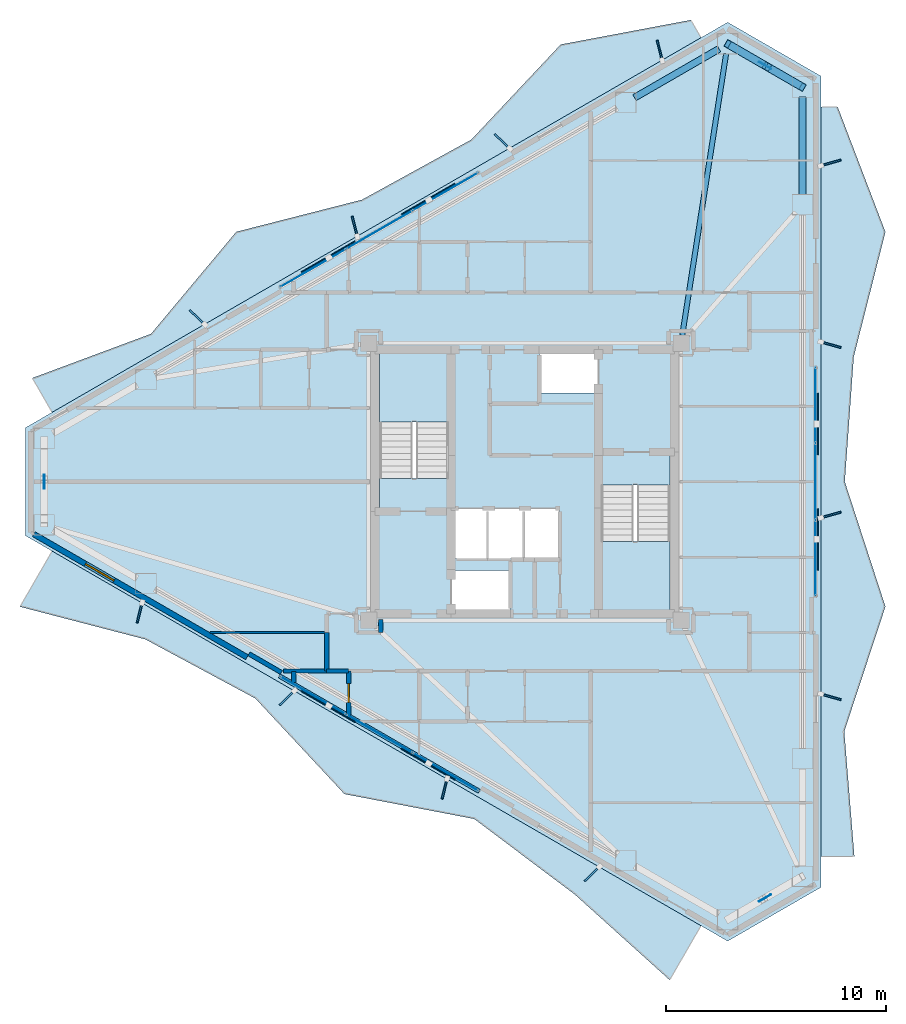
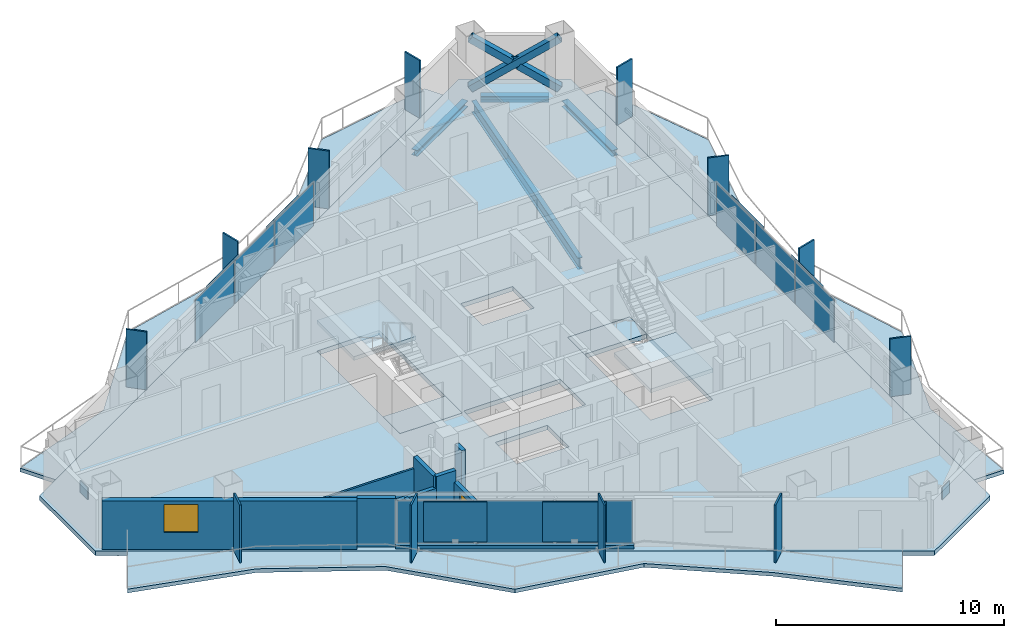
# One storey, part 11 of 18: 30 plates, 10 walls, 8 slabs, 4 beams, 3 members, 1 door, 1 window, 2 openings, 5 elements without a shape of their own.
"""IFC4 building model written with IfcOpenShell, lengths in metres."""

from ifc_helpers import new_model, si_unit, direction, frame, frame_2d, origin, origin_2d, place, context, subcontext, project, spatial, polyline, rectangle, hollow_rectangle, i_section, outline, extrude, material, layer, layer_set, material_profile, profile_set, type_object, element, fill, aggregate, save


model = new_model("IFC4")

# Units and contexts
model_context = context("Model", 3, precision=1e-05, world=origin(), true_north=direction((0.0, 1.0)))
body_context = subcontext(model_context, "Body", "Model", "MODEL_VIEW")
ifc_project = project(units=[si_unit("LENGTHUNIT", "METRE"), si_unit("AREAUNIT", "SQUARE_METRE"), si_unit("VOLUMEUNIT", "CUBIC_METRE"), si_unit("PLANEANGLEUNIT", "RADIAN"), si_unit("MASSUNIT", "GRAM", prefix="KILO")], contexts=[model_context])

# Site, building, storey
site_placement = place(None, origin())
site = spatial("IfcSite", under=ifc_project, at=site_placement, CompositionType="ELEMENT")
building_placement = place(site_placement, origin())
building = spatial("IfcBuilding", under=site, at=building_placement, Name="Mersakhor Tower and Convention Hall", CompositionType="ELEMENT")
storey_placement = place(building_placement, frame((0.0, 0.0, 157.5)))
storey = spatial("IfcBuildingStorey", under=building, at=storey_placement, Name="L44", CompositionType="ELEMENT", Elevation=157.5)

# Beams
ifc_material_1 = material(Name="Steel S355", Category="steel")
ifc_material_profile_1 = material_profile(ifc_material_1, i_section(OverallWidth=0.22900390625, OverallDepth=0.6123046875, WebThickness=0.011962890625, FlangeThickness=0.01953125, at=origin_2d()), Name="UB 610x229x125")
ifc_profile_set_1 = profile_set([ifc_material_profile_1], Name="Steel S355")
beam_type_1 = type_object("IfcBeamType", Name="BM-PR-610", PredefinedType="BEAM", material=ifc_profile_set_1)
beam_1_placement = place(storey_placement, frame((36.15478515625, 33.40087890625, -0.546142578125), z_axis=(0.154111159783, 0.988053515975, 0.0), x_axis=(-0.988053515975, 0.154111159783, 0.0)))
element("IfcBeam", 1, at=beam_1_placement, inside=storey, type_object=beam_type_1, Name="L44 Primary Floor Girder FG-2", PredefinedType="BEAM", context=body_context, shape_type="SweptSolid", body=[
    extrude(i_section(OverallWidth=0.22900390625, OverallDepth=0.6123046875, WebThickness=0.011962890625, FlangeThickness=0.01953125, at=origin_2d()), origin(), (0.0, 0.0, 1.0), 12.94921875),
])
ifc_material_2 = material(Name="Steel S355", Category="steel")
ifc_material_profile_2 = material_profile(ifc_material_2, i_section(OverallWidth=0.30908203125, OverallDepth=0.320556640625, WebThickness=0.013916015625, FlangeThickness=0.021728515625, at=origin_2d()), Name="UC 305x305x137")
ifc_profile_set_2 = profile_set([ifc_material_profile_2], Name="Steel S355")
beam_type_2 = type_object("IfcBeamType", Name="BM-SPD-UC305", PredefinedType="SPANDREL", material=ifc_profile_set_2)
beam_2_placement = place(storey_placement, frame((33.986572265625, 44.200439453125, -0.400146484375), z_axis=(0.866038875684, 0.49997666526, 0.0), x_axis=(-0.49997666526, 0.866038875684, 0.0)))
element("IfcBeam", 2, at=beam_2_placement, inside=storey, type_object=beam_type_2, Name="L44 Perimeter Spandrel Beam SPB-03", PredefinedType="SPANDREL", context=body_context, shape_type="SweptSolid", body=[
    extrude(i_section(OverallWidth=0.30908203125, OverallDepth=0.320556640625, WebThickness=0.013916015625, FlangeThickness=0.021728515625, at=origin_2d()), origin(), (0.0, 0.0, 1.0), 4.433837890625),
])
beam_3_placement = place(storey_placement, frame((38.614501953125, 46.417236328125, -0.400146484375), z_axis=(0.86604667077, -0.499963162692, 0.0), x_axis=(0.499963162692, 0.86604667077, 0.0)))
element("IfcBeam", 3, at=beam_3_placement, inside=storey, type_object=beam_type_2, Name="L44 Perimeter Spandrel Beam SPB-04", PredefinedType="SPANDREL", context=body_context, shape_type="SweptSolid", body=[
    extrude(i_section(OverallWidth=0.30908203125, OverallDepth=0.320556640625, WebThickness=0.013916015625, FlangeThickness=0.021728515625, at=origin_2d()), origin(), (0.0, 0.0, 1.0), 3.014404296875),
])
beam_4_placement = place(storey_placement, frame((41.619140625, 44.2275390625, -0.400146484375), z_axis=(0.0, -1.0, 0.0), x_axis=(1.0, 0.0, 0.0)))
element("IfcBeam", 4, at=beam_4_placement, inside=storey, type_object=beam_type_2, Name="L44 Perimeter Spandrel Beam SPB-05", PredefinedType="SPANDREL", context=body_context, shape_type="SweptSolid", body=[
    extrude(i_section(OverallWidth=0.30908203125, OverallDepth=0.320556640625, WebThickness=0.013916015625, FlangeThickness=0.021728515625, at=origin_2d()), origin(), (0.0, 0.0, 1.0), 4.433837890625),
])

# Members
ifc_material_3 = material(Name="Steel S460", Category="steel")
ifc_material_profile_3 = material_profile(ifc_material_3, hollow_rectangle(XDim=0.35009765625, YDim=0.35009765625, WallThickness=0.02001953125, at=origin_2d()), Name="SHS 350x350x20")
ifc_profile_set_3 = profile_set([ifc_material_profile_3], Name="Steel S460")
member_type = type_object("IfcMemberType", Name="MB-BRC-SHS350", PredefinedType="BRACE", material=ifc_profile_set_3)
member_placement = place(storey_placement, frame((38.220458984375, 46.644775390625, 0.14990234375), z_axis=(0.715164230213, -0.412885203522, 0.563973343817), x_axis=(0.499986324622, 0.866033299124, 0.0)))
element("IfcMember", 5, at=member_placement, inside=storey, type_object=member_type, Name="L44 Chamfer Braced Frame Diagonal CB-1A", PredefinedType="BRACE", context=body_context, shape_type="SweptSolid", body=[
    extrude(hollow_rectangle(XDim=0.35009765625, YDim=0.35009765625, WallThickness=0.02001953125, at=origin_2d()), origin(), (0.0, 0.0, 1.0), 4.752197265625),
])
for number, where, z_axis, x_axis, name in (
    (6, (41.619140625, 44.6826171875, 0.14990234375), (-0.715211025131, 0.412867238086, 0.563927152428), (-0.499945471869, -0.866056883327, 0.0), "L44 Chamfer Braced Frame Diagonal CB-1B Lower Half"),
    (7, (39.77978515625, 45.74462890625, 1.6005859375), (-0.715211025131, 0.412867238086, 0.563927152428), (-0.499945471869, -0.866056883327, 0.0), "L44 Chamfer Braced Frame Diagonal CB-1B Upper Half"),
):
    element("IfcMember", number, at=place(storey_placement, frame(where, z_axis=z_axis, x_axis=x_axis)), inside=storey, type_object=member_type, Name=name, PredefinedType="BRACE", context=body_context, shape_type="SweptSolid", body=[
        extrude(hollow_rectangle(XDim=0.35009765625, YDim=0.35009765625, WallThickness=0.02001953125, at=origin_2d()), origin(), (0.0, 0.0, 1.0), 2.18017578125),
    ])

# Curtain wall, plates
ifc_material_4 = material(Name="Dark solar low-E aluminium curtain wall", Category="aluminium")
ifc_layer_1 = layer(ifc_material_4, 0.169921875)
ifc_layer_set_1 = layer_set([ifc_layer_1], Name="Dark solar low-E aluminium curtain wall")
curtain_wall_type = type_object("IfcCurtainWallType", Name="CW-SYS-02", PredefinedType="USERDEFINED", material=ifc_layer_set_1)
curtain_wall_1_placement = place(storey_placement, origin())
curtain_wall_1 = element("IfcCurtainWall", 8, at=curtain_wall_1_placement, inside=storey, type_object=curtain_wall_type, Name="L44 Dark-Glass Curtain Wall F1-B2", ObjectType="CURTAIN WALL", PredefinedType="USERDEFINED")
ifc_material_5 = material(Name="Dark solar double glazing", Category="glass")
ifc_layer_2 = layer(ifc_material_5, 0.028076171875)
ifc_layer_set_2 = layer_set([ifc_layer_2], Name="Dark solar double glazing")
plate_type_1 = type_object("IfcPlateType", Name="CWP-GLZ-28", PredefinedType="CURTAIN_PANEL", material=ifc_layer_set_2)
plate_1_placement = place(storey_placement, frame((19.379638671875, 36.4599609375, 0.259765625), z_axis=(0.0, 0.0, 1.0), x_axis=(0.866030906807, 0.499990468363, 0.0)))
plate_1 = element("IfcPlate", 9, at=plate_1_placement, type_object=plate_type_1, Name="CW-02 panel 1.1", PredefinedType="CURTAIN_PANEL", context=body_context, shape_type="SweptSolid", body=[
    extrude(rectangle(XDim=3.3828125, YDim=0.028076171875, at=origin_2d()), origin(), (0.0, 0.0, 1.0), 2.280029296875),
])
plate_2_placement = place(storey_placement, frame((22.390380859375, 38.1982421875, 0.259765625), z_axis=(0.0, 0.0, 1.0), x_axis=(0.866030906807, 0.499990468363, 0.0)))
plate_2 = element("IfcPlate", 10, at=plate_2_placement, type_object=plate_type_1, Name="CW-02 panel 2.1", PredefinedType="CURTAIN_PANEL", context=body_context, shape_type="SweptSolid", body=[
    extrude(rectangle(XDim=3.42041015625, YDim=0.028076171875, at=origin_2d()), origin(), (0.0, 0.0, 1.0), 2.280029296875),
])
plate_3_placement = place(storey_placement, frame((25.401123046875, 39.9365234375, 0.259765625), z_axis=(0.0, 0.0, 1.0), x_axis=(0.866030906807, 0.499990468363, 0.0)))
plate_3 = element("IfcPlate", 11, at=plate_3_placement, type_object=plate_type_1, Name="CW-02 panel 3.1", PredefinedType="CURTAIN_PANEL", context=body_context, shape_type="SweptSolid", body=[
    extrude(rectangle(XDim=3.3828125, YDim=0.028076171875, at=origin_2d()), origin(), (0.0, 0.0, 1.0), 2.280029296875),
])
aggregate(curtain_wall_1, [plate_1, plate_2, plate_3])

curtain_wall_2_placement = place(storey_placement, origin())
curtain_wall_2 = element("IfcCurtainWall", 12, at=curtain_wall_2_placement, inside=storey, type_object=curtain_wall_type, Name="L44 Dark-Glass Curtain Wall F2-B2", ObjectType="CURTAIN WALL", PredefinedType="USERDEFINED")
plate_4_placement = place(storey_placement, frame((42.21923828125, 30.2265625, 0.259765625), z_axis=(0.0, 0.0, 1.0), x_axis=(0.0, -1.0, 0.0)))
plate_4 = element("IfcPlate", 13, at=plate_4_placement, type_object=plate_type_1, Name="CW-02 panel 1.1", PredefinedType="CURTAIN_PANEL", context=body_context, shape_type="SweptSolid", body=[
    extrude(rectangle(XDim=3.3828125, YDim=0.028076171875, at=origin_2d()), origin(), (0.0, 0.0, 1.0), 2.280029296875),
])
plate_5_placement = place(storey_placement, frame((42.21923828125, 26.75, 0.259765625), z_axis=(0.0, 0.0, 1.0), x_axis=(0.0, -1.0, 0.0)))
plate_5 = element("IfcPlate", 14, at=plate_5_placement, type_object=plate_type_1, Name="CW-02 panel 2.1", PredefinedType="CURTAIN_PANEL", context=body_context, shape_type="SweptSolid", body=[
    extrude(rectangle(XDim=3.42041015625, YDim=0.028076171875, at=origin_2d()), origin(), (0.0, 0.0, 1.0), 2.280029296875),
])
plate_6_placement = place(storey_placement, frame((42.21923828125, 23.2734375, 0.259765625), z_axis=(0.0, 0.0, 1.0), x_axis=(0.0, -1.0, 0.0)))
plate_6 = element("IfcPlate", 15, at=plate_6_placement, type_object=plate_type_1, Name="CW-02 panel 3.1", PredefinedType="CURTAIN_PANEL", context=body_context, shape_type="SweptSolid", body=[
    extrude(rectangle(XDim=3.3828125, YDim=0.028076171875, at=origin_2d()), origin(), (0.0, 0.0, 1.0), 2.280029296875),
])
aggregate(curtain_wall_2, [plate_4, plate_5, plate_6])

curtain_wall_3_placement = place(storey_placement, origin())
curtain_wall_3 = element("IfcCurtainWall", 16, at=curtain_wall_3_placement, inside=storey, type_object=curtain_wall_type, Name="L44 Dark-Glass Curtain Wall F3-B2", ObjectType="CURTAIN WALL", PredefinedType="USERDEFINED")
plate_7_placement = place(storey_placement, frame((25.401123046875, 13.5634765625, 0.259765625), z_axis=(0.0, 0.0, 1.0), x_axis=(-0.866030906807, 0.499990468363, 0.0)))
plate_7 = element("IfcPlate", 17, at=plate_7_placement, type_object=plate_type_1, Name="CW-02 panel 1.1", PredefinedType="CURTAIN_PANEL", context=body_context, shape_type="SweptSolid", body=[
    extrude(rectangle(XDim=3.3828125, YDim=0.028076171875, at=origin_2d()), origin(), (0.0, 0.0, 1.0), 2.280029296875),
])
plate_8_placement = place(storey_placement, frame((22.390380859375, 15.3017578125, 0.259765625), z_axis=(0.0, 0.0, 1.0), x_axis=(-0.866030906807, 0.499990468363, 0.0)))
plate_8 = element("IfcPlate", 18, at=plate_8_placement, type_object=plate_type_1, Name="CW-02 panel 2.1", PredefinedType="CURTAIN_PANEL", context=body_context, shape_type="SweptSolid", body=[
    extrude(rectangle(XDim=3.42041015625, YDim=0.028076171875, at=origin_2d()), origin(), (0.0, 0.0, 1.0), 2.280029296875),
])
plate_9_placement = place(storey_placement, frame((19.379638671875, 17.0400390625, 0.259765625), z_axis=(0.0, 0.0, 1.0), x_axis=(-0.866030906807, 0.499990468363, 0.0)))
plate_9 = element("IfcPlate", 19, at=plate_9_placement, type_object=plate_type_1, Name="CW-02 panel 3.1", PredefinedType="CURTAIN_PANEL", context=body_context, shape_type="SweptSolid", body=[
    extrude(rectangle(XDim=3.3828125, YDim=0.028076171875, at=origin_2d()), origin(), (0.0, 0.0, 1.0), 2.280029296875),
])
aggregate(curtain_wall_3, [plate_7, plate_8, plate_9])

# Plates
ifc_material_6 = material(Name="Ceramic-clad aluminium Zone 3 ochre-bronze", Category="aluminium")
ifc_material_7 = material(Name="Ceramic-clad aluminium Zone 1 cobalt-slate", Category="masonry")
ifc_layer_3 = layer(ifc_material_7, 0.080078125)
ifc_layer_set_3 = layer_set([ifc_layer_3], Name="Ceramic-clad aluminium Zone 1 cobalt-slate")
plate_type_2 = type_object("IfcPlateType", Name="PL-FIN-80", PredefinedType="USERDEFINED", material=ifc_layer_set_3)
for number, where, z_axis, x_axis, name in (
    (20, (14.119384765625, 34.215576171875, 0.0), (0.0, 0.0, 1.0), (-0.719339800339, 0.694658370459, 0.0), "L44 Zone 3 Coloured Brise-Soleil Fin F1-1"),
    (21, (21.274169921875, 38.346435546875, 0.0), (0.0, 0.0, 1.0), (-0.2419218956, 0.970295726276, 0.0), "L44 Zone 3 Coloured Brise-Soleil Fin F1-2"),
    (22, (27.9755859375, 42.215576171875, 0.0), (0.0, 0.0, 1.0), (-0.719339800339, 0.694658370459, 0.0), "L44 Zone 3 Coloured Brise-Soleil Fin F1-3"),
    (23, (35.130615234375, 46.346435546875, 0.0), (0.0, 0.0, 1.0), (-0.2419218956, 0.970295726276, 0.0), "L44 Zone 3 Coloured Brise-Soleil Fin F1-4"),
    (24, (42.90576171875, 41.237548828125, 0.0), (0.0, 0.0, 1.0), (0.961261695938, 0.275637355817, 0.0), "L44 Zone 3 Coloured Brise-Soleil Fin F2-1"),
    (25, (42.90576171875, 32.9755859375, 0.0), (0.0, 0.0, 1.0), (0.961261695938, -0.275637355817, 0.0), "L44 Zone 3 Coloured Brise-Soleil Fin F2-2"),
    (26, (42.90576171875, 25.237548828125, 0.0), (0.0, 0.0, 1.0), (0.961261695938, 0.275637355817, 0.0), "L44 Zone 3 Coloured Brise-Soleil Fin F2-3"),
    (27, (42.90576171875, 16.9755859375, 0.0), (0.0, 0.0, 1.0), (0.961261695938, -0.275637355817, 0.0), "L44 Zone 3 Coloured Brise-Soleil Fin F2-4"),
    (28, (32.0576171875, 8.927734375, 0.0), (0.0, 0.0, 1.0), (-0.719339800339, -0.694658370459, 0.0), "L44 Zone 3 Coloured Brise-Soleil Fin F3-1"),
    (29, (25.356201171875, 12.796875, 0.0), (0.0, 0.0, 1.0), (-0.2419218956, -0.970295726276, 0.0), "L44 Zone 3 Coloured Brise-Soleil Fin F3-2"),
    (30, (18.201171875, 16.927734375, 0.0), (0.0, 0.0, 1.0), (-0.719339800339, -0.694658370459, 0.0), "L44 Zone 3 Coloured Brise-Soleil Fin F3-3"),
    (31, (11.499755859375, 20.796875, 0.0), (0.0, 0.0, 1.0), (-0.2419218956, -0.970295726276, 0.0), "L44 Zone 3 Coloured Brise-Soleil Fin F3-4"),
):
    element("IfcPlate", number, at=place(storey_placement, frame(where, z_axis=z_axis, x_axis=x_axis)), inside=storey, type_object=plate_type_2, material=ifc_material_6, Name=name, ObjectType="FIN", PredefinedType="USERDEFINED", context=body_context, shape_type="SweptSolid", body=[
        extrude(rectangle(XDim=0.949951171875, YDim=0.080078125, at=origin_2d()), origin(), (0.0, 0.0, 1.0), 3.10009765625),
    ])
ifc_material_8 = material(Name="Steel S460", Category="steel")
ifc_layer_4 = layer(ifc_material_8, 0.0400390625)
ifc_layer_set_4 = layer_set([ifc_layer_4], Name="Steel S460")
plate_type_3 = type_object("IfcPlateType", Name="PL-GUSSET-40", PredefinedType="SHEET", material=ifc_layer_set_4)
for number, where, z_axis, x_axis, name in (
    (32, (39.919921875, 45.663818359375, 1.169921875), (0.0, 0.0, 1.0), (-0.866025403784, 0.5, 0.0), "L44 X-Brace Crossing Gusset Node Plate"),
    (33, (39.919921875, 7.836181640625, 1.169921875), (0.0, 0.0, 1.0), (0.866025403784, 0.5, 0.0), "L44 X-Brace Crossing Gusset Node Plate"),
    (34, (7.160400390625, 26.75, 1.169921875), (0.0, 0.0, 1.0), (0.0, -1.0, 0.0), "L44 X-Brace Crossing Gusset Node Plate"),
):
    element("IfcPlate", number, at=place(storey_placement, frame(where, z_axis=z_axis, x_axis=x_axis)), inside=storey, type_object=plate_type_3, Name=name, PredefinedType="SHEET", context=body_context, shape_type="SweptSolid", body=[
        extrude(rectangle(XDim=0.639892578125, YDim=0.0400390625, at=origin_2d()), origin(), (0.0, 0.0, 1.0), 0.639892578125),
    ])
ifc_material_9 = material(Name="Perforated ceramic cobogo solar screen", Category="aluminium")
ifc_layer_5 = layer(ifc_material_9, 0.048095703125)
ifc_layer_set_5 = layer_set([ifc_layer_5], Name="Perforated ceramic cobogo solar screen")
plate_type_4 = type_object("IfcPlateType", Name="PL-SCR-48", PredefinedType="USERDEFINED", material=ifc_layer_set_5)
for number, where, z_axis, x_axis, name in (
    (35, (20.072998046875, 36.96875, 0.400146484375), (0.0, 0.0, 1.0), (0.866025403784, 0.5, 0.0), "L44 Perforated Ceramic Solar Screen F1-1"),
    (36, (24.61376953125, 39.59033203125, 0.400146484375), (0.0, 0.0, 1.0), (0.866025403784, 0.5, 0.0), "L44 Perforated Ceramic Solar Screen F1-2"),
    (37, (42.313232421875, 29.37158203125, 0.400146484375), (0.0, 0.0, 1.0), (0.0, -1.0, 0.0), "L44 Perforated Ceramic Solar Screen F2-1"),
    (38, (42.313232421875, 24.12841796875, 0.400146484375), (0.0, 0.0, 1.0), (0.0, -1.0, 0.0), "L44 Perforated Ceramic Solar Screen F2-2"),
    (39, (24.61376953125, 13.90966796875, 0.400146484375), (0.0, 0.0, 1.0), (-0.866025403784, 0.5, 0.0), "L44 Perforated Ceramic Solar Screen F3-1"),
    (40, (20.072998046875, 16.53125, 0.400146484375), (0.0, 0.0, 1.0), (-0.866025403784, 0.5, 0.0), "L44 Perforated Ceramic Solar Screen F3-2"),
):
    element("IfcPlate", number, at=place(storey_placement, frame(where, z_axis=z_axis, x_axis=x_axis)), inside=storey, type_object=plate_type_4, Name=name, ObjectType="SCREEN", PredefinedType="USERDEFINED", context=body_context, shape_type="SweptSolid", body=[
        extrude(rectangle(XDim=2.800048828125, YDim=0.048095703125, at=origin_2d()), origin(), (0.0, 0.0, 1.0), 2.14990234375),
    ])

# Slabs
ifc_material_10 = material(Name="Concrete C45/55", Category="concrete")
ifc_layer_6 = layer(ifc_material_10, 0.199951171875)
ifc_layer_set_6 = layer_set([ifc_layer_6], Name="Concrete C45/55")
slab_type_1 = type_object("IfcSlabType", Name="SL-BAL-200", PredefinedType="FLOOR", material=ifc_layer_set_6)
slab_1_placement = place(storey_placement, frame((0.0, 0.0, -0.199951171875)))
element("IfcSlab", 41, at=slab_1_placement, inside=storey, type_object=slab_type_1, Name="L44 Sinusoidal Balcony Slab Face 1", PredefinedType="FLOOR", context=body_context, shape_type="SweptSolid", body=[
    extrude(outline(polyline([(7.522705078125, 29.903076171875), (37.008056640625, 46.92626953125), (36.543701171875, 47.730712890625), (30.6337890625, 46.617919921875), (26.57568359375, 42.2978515625), (21.60205078125, 39.563720703125), (15.89111328125, 38.106201171875), (12.015869140625, 33.4697265625), (6.622802734375, 31.4619140625), (7.522705078125, 29.903076171875)])), origin(), (0.0, 0.0, 1.0), 0.199951171875),
])
slab_2_placement = place(storey_placement, frame((0.0, 0.0, -0.199951171875)))
element("IfcSlab", 42, at=slab_2_placement, inside=storey, type_object=slab_type_1, Name="L44 Sinusoidal Balcony Slab Face 2", PredefinedType="FLOOR", context=body_context, shape_type="SweptSolid", body=[
    extrude(outline(polyline([(42.46923828125, 43.773193359375), (42.46923828125, 9.726806640625), (43.9775390625, 9.726806640625), (43.51806640625, 15.401123046875), (45.38916015625, 21.07568359375), (43.54150390625, 26.75), (43.948974609375, 32.42431640625), (45.388427734375, 38.098876953125), (43.22119140625, 43.773193359375), (42.46923828125, 43.773193359375)])), origin(), (0.0, 0.0, 1.0), 0.199951171875),
])
slab_3_placement = place(storey_placement, frame((0.0, 0.0, -0.199951171875)))
element("IfcSlab", 43, at=slab_3_placement, inside=storey, type_object=slab_type_1, Name="L44 Sinusoidal Balcony Slab Face 3", PredefinedType="FLOOR", context=body_context, shape_type="SweptSolid", body=[
    extrude(outline(polyline([(37.008056640625, 6.57373046875), (7.522705078125, 23.596923828125), (6.062744140625, 21.068115234375), (11.760009765625, 19.587158203125), (16.760009765625, 16.898681640625), (20.805419921875, 12.556640625), (26.704833984375, 11.42578125), (31.274658203125, 7.991943359375), (35.583984375, 4.107421875), (37.008056640625, 6.57373046875)])), origin(), (0.0, 0.0, 1.0), 0.199951171875),
])
ifc_material_11 = material(Name="Concrete C40/50", Category="concrete")
ifc_layer_7 = layer(ifc_material_11, 0.239990234375)
ifc_layer_set_7 = layer_set([ifc_layer_7], Name="Concrete C40/50")
slab_type_2 = type_object("IfcSlabType", Name="SL-FLR-240", PredefinedType="FLOOR", material=ifc_layer_set_7)
slab_4_placement = place(storey_placement, frame((0.0, 0.0, -0.239990234375)))
element("IfcSlab", 44, at=slab_4_placement, inside=storey, type_object=slab_type_2, Name="L44 ST-1 Structural Stair Floor Landing", PredefinedType="LANDING", context=body_context, shape_type="SweptSolid", body=[
    extrude(outline(polyline([(25.550048828125, 25.39990234375), (25.550048828125, 26.89990234375), (22.39990234375, 26.89990234375), (22.39990234375, 25.39990234375), (25.550048828125, 25.39990234375)])), origin(), (0.0, 0.0, 1.0), 0.239990234375),
])
slab_5_placement = place(storey_placement, frame((0.0, 0.0, -0.239990234375)))
element("IfcSlab", 45, at=slab_5_placement, inside=storey, type_object=slab_type_2, Name="L44 ST-2 Structural Stair Floor Landing", PredefinedType="LANDING", context=body_context, shape_type="SweptSolid", body=[
    extrude(outline(polyline([(32.449951171875, 28.10009765625), (32.449951171875, 26.60009765625), (35.60009765625, 26.60009765625), (35.60009765625, 28.10009765625), (32.449951171875, 28.10009765625)])), origin(), (0.0, 0.0, 1.0), 0.239990234375),
])
slab_6_placement = place(storey_placement, frame((0.0, 0.0, -0.239990234375)))
element("IfcSlab", 46, at=slab_6_placement, inside=storey, type_object=slab_type_2, Name="Tower L44 Structural Floor Slab", PredefinedType="FLOOR", context=body_context, shape_type="SweptSolid", body=[
    extrude(outline(polyline([(6.310302734375, 29.202880859375), (38.220458984375, 47.626220703125), (42.46923828125, 45.17333984375), (42.46923828125, 8.32666015625), (38.220458984375, 5.873779296875), (6.310302734375, 24.297119140625), (6.310302734375, 29.202880859375)]), holes=[polyline([(25.550048828125, 25.39990234375), (25.550048828125, 32.699951171875), (22.39990234375, 32.699951171875), (22.39990234375, 25.39990234375), (25.550048828125, 25.39990234375)]), polyline([(32.449951171875, 28.10009765625), (32.449951171875, 20.800048828125), (35.60009765625, 20.800048828125), (35.60009765625, 28.10009765625), (32.449951171875, 28.10009765625)]), polyline([(25.679931640625, 20.820068359375), (25.679931640625, 22.719970703125), (28.320068359375, 22.719970703125), (28.320068359375, 20.820068359375), (25.679931640625, 20.820068359375)]), polyline([(29.679931640625, 30.780029296875), (29.679931640625, 32.679931640625), (32.320068359375, 32.679931640625), (32.320068359375, 30.780029296875), (29.679931640625, 30.780029296875)]), polyline([(25.679931640625, 23.25), (25.679931640625, 25.5), (30.570068359375, 25.5), (30.570068359375, 23.25), (25.679931640625, 23.25)])]), origin(), (0.0, 0.0, 1.0), 0.239990234375),
])

# Stair, slab
ifc_material_12 = material(Name="Concrete C45/55", Category="concrete")
stair_type = type_object("IfcStairType", Name="ST-TWR-20R", PredefinedType="HALF_TURN_STAIR", material=ifc_material_12)
stair_1_placement = place(storey_placement, origin())
stair_1 = element("IfcStair", 47, at=stair_1_placement, inside=storey, type_object=stair_type, Name="L44 Tower Protected Exit Stair ST-1", PredefinedType="HALF_TURN_STAIR")
ifc_material_13 = material(Name="Concrete C45/55", Category="concrete")
ifc_layer_8 = layer(ifc_material_13, 0.199951171875)
ifc_layer_set_8 = layer_set([ifc_layer_8], Name="Concrete C45/55")
slab_type_3 = type_object("IfcSlabType", Name="SL-LAND-200", PredefinedType="LANDING", material=ifc_layer_set_8)
slab_7_placement = place(storey_placement, frame((0.0, 0.0, 1.449951171875)))
slab_7 = element("IfcSlab", 48, at=slab_7_placement, type_object=slab_type_3, Name="ST-1 landing 1", PredefinedType="LANDING", context=body_context, shape_type="SweptSolid", body=[
    extrude(outline(polyline([(25.550048828125, 29.465087890625), (25.550048828125, 32.699951171875), (22.39990234375, 32.699951171875), (22.39990234375, 29.465087890625), (25.550048828125, 29.465087890625)])), origin(), (0.0, 0.0, 1.0), 0.199951171875),
])
aggregate(stair_1, [slab_7])

stair_2_placement = place(storey_placement, origin())
stair_2 = element("IfcStair", 49, at=stair_2_placement, inside=storey, type_object=stair_type, Name="L44 Tower Protected Exit Stair ST-2", PredefinedType="HALF_TURN_STAIR")
slab_8_placement = place(storey_placement, frame((0.0, 0.0, 1.449951171875)))
slab_8 = element("IfcSlab", 50, at=slab_8_placement, type_object=slab_type_3, Name="ST-2 landing 1", PredefinedType="LANDING", context=body_context, shape_type="SweptSolid", body=[
    extrude(outline(polyline([(32.449951171875, 24.034912109375), (32.449951171875, 20.800048828125), (35.60009765625, 20.800048828125), (35.60009765625, 24.034912109375), (32.449951171875, 24.034912109375)])), origin(), (0.0, 0.0, 1.0), 0.199951171875),
])
aggregate(stair_2, [slab_8])

# Wall, opening, window
ifc_material_14 = material(Name="Precast concrete C40/50", Category="concrete")
ifc_layer_9 = layer(ifc_material_14, 0.25)
ifc_layer_set_9 = layer_set([ifc_layer_9], Name="Precast concrete C40/50")
wall_type_1 = type_object("IfcWallType", Name="WL-EXT-250", PredefinedType="SOLIDWALL", material=ifc_layer_set_9)
wall_1_placement = place(storey_placement, frame((16.377685546875, 18.773193359375, 0.0), z_axis=(0.0, 0.0, 1.0), x_axis=(-0.866027848477, 0.499995765644, 0.0)))
wall_1 = element("IfcWall", 51, at=wall_1_placement, inside=storey, type_object=wall_type_1, Name="L44 Exterior Facade Wall F3-B3", PredefinedType="SOLIDWALL", context=body_context, shape_type="SweptSolid", body=[
    extrude(rectangle(XDim=11.18603515625, YDim=0.25, at=frame_2d((5.593017578125, 0.0))), origin(), (0.0, 0.0, 1.0), 2.60009765625),
])
opening_1_placement = place(wall_1_placement, frame((6.97412109375, 0.0, 0.89990234375)))
opening_1 = element("IfcOpeningElement", 52, at=opening_1_placement, cuts=wall_1, Name="Opening W-02", PredefinedType="OPENING", context=body_context, shape_type="SweptSolid", body=[
    extrude(rectangle(XDim=1.5, YDim=1.5, at=frame_2d((0.75, 0.75))), frame((0.0, 0.135009765625, 0.0), z_axis=(0.0, -1.0, 0.0), x_axis=(1.0, 0.0, 0.0)), (0.0, 0.0, 1.0), 0.27001953125),
])
ifc_material_15 = material(Name="Dark solar low-E glazed aluminium window", Category="aluminium")
window_type = type_object("IfcWindowType", Name="WN-RES-150x150", PartitioningType="SINGLE_PANEL", PredefinedType="WINDOW", material=ifc_material_15)
window_placement = place(opening_1_placement, origin())
window = element("IfcWindow", 53, at=window_placement, inside=storey, type_object=window_type, Name="L44 Facade Punched Window F3-B3", OverallHeight=1.5, OverallWidth=1.5, PartitioningType="SINGLE_PANEL", PredefinedType="WINDOW", context=body_context, shape_type="SweptSolid", body=[
    extrude(rectangle(XDim=1.5, YDim=1.5, at=frame_2d((0.75, 0.75))), frame((0.0, 0.030029296875, 0.0), z_axis=(0.0, -1.0, 0.0), x_axis=(1.0, 0.0, 0.0)), (0.0, 0.0, 1.0), 0.06005859375),
])
fill(opening_1, window)

# Walls
ifc_material_16 = material(Name="Precast concrete C40/50", Category="concrete")
ifc_layer_10 = layer(ifc_material_16, 0.199951171875)
ifc_layer_set_10 = layer_set([ifc_layer_10], Name="Precast concrete C40/50")
wall_type_2 = type_object("IfcWallType", Name="WL-PAR-200", PredefinedType="PARAPET", material=ifc_layer_set_10)
wall_2_placement = place(storey_placement, frame((26.930908203125, 12.680419921875, 0.0), z_axis=(0.0, 0.0, 1.0), x_axis=(-0.866026619769, 0.499997893847, 0.0)))
element("IfcWall", 54, at=wall_2_placement, inside=storey, type_object=wall_type_2, Name="L44 Curtain Wall Upstand Sill F3-B2", PredefinedType="PARAPET", context=body_context, shape_type="SweptSolid", body=[
    extrude(rectangle(XDim=10.48583984375, YDim=0.199951171875, at=frame_2d((5.242919921875, 0.0))), origin(), (0.0, 0.0, 1.0), 0.199951171875),
])
wall_3_placement = place(storey_placement, frame((17.939697265625, 18.0791015625, 0.0), z_axis=(0.0, 0.0, 1.0), x_axis=(-0.865989465428, 0.500062241894, 0.0)))
element("IfcWall", 55, at=wall_3_placement, inside=storey, type_object=wall_type_2, Name="L44 Column Pier Cladding Wall F3-C2", PredefinedType="PARAPET", context=body_context, shape_type="SweptSolid", body=[
    extrude(rectangle(XDim=1.699951171875, YDim=0.199951171875, at=frame_2d((0.85009765625, 0.0))), origin(), (0.0, 0.0, 1.0), 2.60009765625),
])
ifc_material_17 = material(Name="Lightweight gypsum partition", Category="other")
ifc_layer_11 = layer(ifc_material_17, 0.10009765625)
ifc_layer_set_11 = layer_set([ifc_layer_11], Name="Lightweight gypsum partition")
wall_type_3 = type_object("IfcWallType", Name="WL-PRT-100", PredefinedType="PARTITIONING", material=ifc_layer_set_11)
wall_4_placement = place(storey_placement, frame((20.0, 19.89990234375, 0.0), z_axis=(0.0, 0.0, 1.0), x_axis=(-1.0, 0.0, 0.0)))
element("IfcWall", 56, at=wall_4_placement, inside=storey, type_object=wall_type_3, Name="L44 Interior Partition Wall P-094", PredefinedType="PARTITIONING", context=body_context, shape_type="SweptSolid", body=[
    extrude(rectangle(XDim=5.302978515625, YDim=0.10009765625, at=frame_2d((2.6513671875, 0.0))), origin(), (0.0, 0.0, 1.0), 2.364990234375),
])
ifc_material_18 = material(Name="Acoustic concrete blockwork and gypsum board", Category="masonry")
ifc_layer_12 = layer(ifc_material_18, 0.199951171875)
ifc_layer_set_12 = layer_set([ifc_layer_12], Name="Acoustic concrete blockwork and gypsum board")
wall_type_4 = type_object("IfcWallType", Name="WL-PRT-200", PredefinedType="PARTITIONING", material=ifc_layer_set_12)
wall_5_placement = place(storey_placement, frame((22.449951171875, 19.89990234375, 0.0), z_axis=(0.0, 0.0, 1.0), x_axis=(0.0, 1.0, 0.0)))
element("IfcWall", 57, at=wall_5_placement, inside=storey, type_object=wall_type_4, Name="L44 Interior Partition Wall P-034", PredefinedType="PARTITIONING", context=body_context, shape_type="SweptSolid", body=[
    extrude(rectangle(XDim=0.60009765625, YDim=0.199951171875, at=frame_2d((0.300048828125, 0.0))), origin(), (0.0, 0.0, 1.0), 2.42822265625),
])
wall_6_placement = place(storey_placement, frame((21.0, 18.14990234375, 0.0), z_axis=(0.0, 0.0, 1.0), x_axis=(-1.0, 0.0, 0.0)))
element("IfcWall", 58, at=wall_6_placement, inside=storey, type_object=wall_type_4, Name="L44 Interior Partition Wall P-046", PredefinedType="PARTITIONING", context=body_context, shape_type="SweptSolid", body=[
    extrude(rectangle(XDim=1.0, YDim=0.199951171875, at=frame_2d((0.5, 0.0))), origin(), (0.0, 0.0, 1.0), 2.97998046875),
])
wall_7_placement = place(storey_placement, frame((20.0, 18.14990234375, 0.0), z_axis=(0.0, 0.0, 1.0), x_axis=(0.0, 1.0, 0.0)))
element("IfcWall", 59, at=wall_7_placement, inside=storey, type_object=wall_type_4, Name="L44 Interior Partition Wall P-047", PredefinedType="PARTITIONING", context=body_context, shape_type="SweptSolid", body=[
    extrude(rectangle(XDim=1.75, YDim=0.199951171875, at=frame_2d((0.875, 0.0))), origin(), (0.0, 0.0, 1.0), 2.97998046875),
])
wall_8_placement = place(storey_placement, frame((18.04248046875, 18.14990234375, 0.0), z_axis=(0.0, 0.0, 1.0), x_axis=(1.0, 0.0, 0.0)))
element("IfcWall", 60, at=wall_8_placement, inside=storey, type_object=wall_type_4, Name="L44 Interior Partition Wall P-112", PredefinedType="PARTITIONING", context=body_context, shape_type="SweptSolid", body=[
    extrude(rectangle(XDim=1.95751953125, YDim=0.199951171875, at=frame_2d((0.978759765625, 0.0))), origin(), (0.0, 0.0, 1.0), 2.364990234375),
])

# Wall, opening, door
wall_9_placement = place(storey_placement, frame((21.0, 18.14990234375, 0.0), z_axis=(0.0, 0.0, 1.0), x_axis=(0.0, -1.0, 0.0)))
wall_9 = element("IfcWall", 61, at=wall_9_placement, inside=storey, type_object=wall_type_4, Name="L44 Interior Partition Wall P-113", PredefinedType="PARTITIONING", context=body_context, shape_type="SweptSolid", body=[
    extrude(rectangle(XDim=2.00146484375, YDim=0.199951171875, at=frame_2d((1.000732421875, 0.0))), origin(), (0.0, 0.0, 1.0), 2.364990234375),
])
opening_2_placement = place(wall_9_placement, frame((0.57568359375, 0.0, 0.0)))
opening_2 = element("IfcOpeningElement", 62, at=opening_2_placement, cuts=wall_9, Name="Opening SVD-01", PredefinedType="OPENING", context=body_context, shape_type="SweptSolid", body=[
    extrude(rectangle(XDim=0.85009765625, YDim=2.10009765625, at=frame_2d((0.425048828125, 1.050048828125))), frame((0.0, 0.10986328125, 0.0), z_axis=(0.0, -1.0, 0.0), x_axis=(1.0, 0.0, 0.0)), (0.0, 0.0, 1.0), 0.219970703125),
])
ifc_material_19 = material(Name="Fire-rated hardwood leaf and painted steel frame", Category="steel")
door_type = type_object("IfcDoorType", Name="DR-INT-SVC-085x210", OperationType="NOTDEFINED", PredefinedType="DOOR", material=ifc_material_19)
door_placement = place(opening_2_placement, origin())
door = element("IfcDoor", 63, at=door_placement, inside=storey, type_object=door_type, Name="L44 L44 Floor Household Store Room 3-1 to L44 Floor Shared Tea Pantry 3-2 Door", OperationType="SINGLE_SWING_RIGHT", OverallHeight=2.10009765625, OverallWidth=0.85009765625, PredefinedType="DOOR", context=body_context, shape_type="SweptSolid", body=[
    extrude(rectangle(XDim=0.85009765625, YDim=2.10009765625, at=frame_2d((0.425048828125, 1.050048828125))), frame((0.0, 0.02490234375, 0.0), z_axis=(0.0, -1.0, 0.0), x_axis=(1.0, 0.0, 0.0)), (0.0, 0.0, 1.0), 0.050048828125),
])
fill(opening_2, door)

# Wall
wall_10_placement = place(storey_placement, frame((18.5, 17.63671875, 0.0), z_axis=(0.0, 0.0, 1.0), x_axis=(0.0, 1.0, 0.0)))
element("IfcWall", 64, at=wall_10_placement, inside=storey, type_object=wall_type_4, Name="L44 Interior Partition Wall P-114", PredefinedType="PARTITIONING", context=body_context, shape_type="SweptSolid", body=[
    extrude(rectangle(XDim=0.4833984375, YDim=0.199951171875, at=frame_2d((0.24169921875, 0.0))), origin(), (0.0, 0.0, 1.0), 2.364990234375),
])

save(model, "model.ifc")
